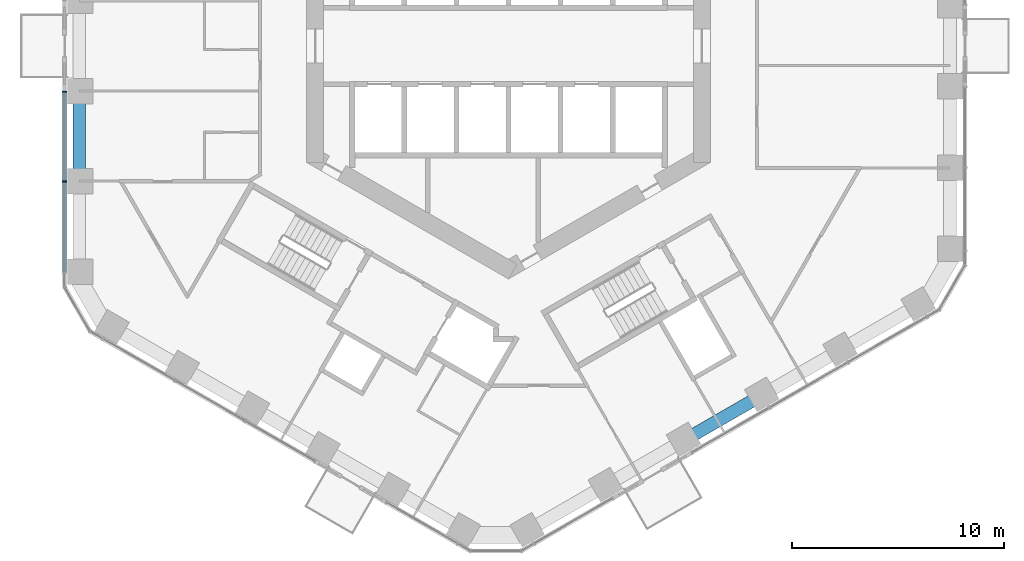
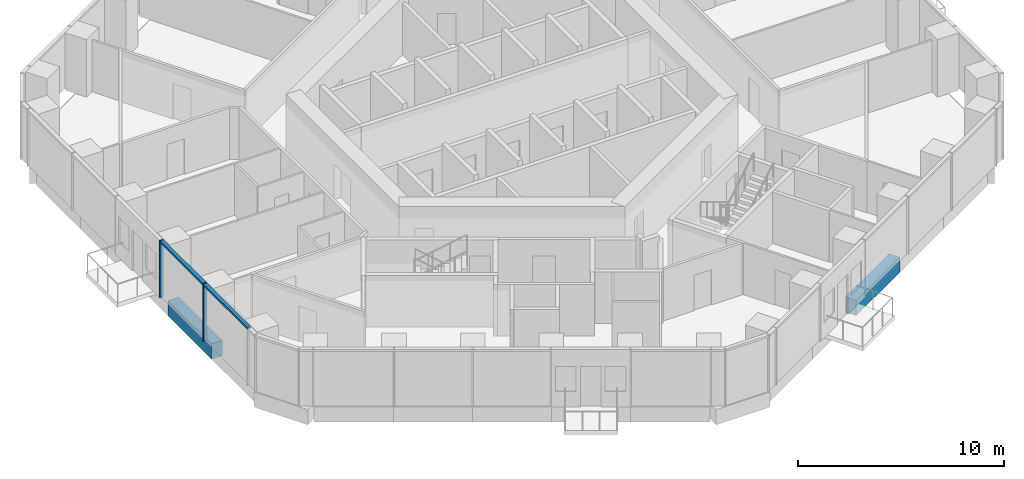
# One storey, part 3 of 20: 3 members, 2 beams, 1 element without a shape of its own.
"""IFC4 building model written with IfcOpenShell, lengths in metres."""

from ifc_helpers import new_model, si_unit, direction, frame, origin, origin_2d, place, context, subcontext, project, spatial, rectangle, extrude, material, layer, layer_set, material_profile, profile_set, type_object, element, aggregate, save


model = new_model("IFC4")

# Units and contexts
model_context = context("Model", 3, precision=1e-05, world=origin(), true_north=direction((0.0, 1.0)))
body_context = subcontext(model_context, "Body", "Model", "MODEL_VIEW")
ifc_project = project(units=[si_unit("LENGTHUNIT", "METRE"), si_unit("AREAUNIT", "SQUARE_METRE"), si_unit("VOLUMEUNIT", "CUBIC_METRE"), si_unit("PLANEANGLEUNIT", "RADIAN"), si_unit("MASSUNIT", "GRAM", prefix="KILO")], contexts=[model_context])

# Site, building, storey
site_placement = place(None, origin())
site = spatial("IfcSite", under=ifc_project, at=site_placement, CompositionType="ELEMENT")
building_placement = place(site_placement, origin())
building = spatial("IfcBuilding", under=site, at=building_placement, Name="Ayvan Gate Tower", CompositionType="ELEMENT")
storey_placement = place(building_placement, frame((0.0, 0.0, 59.5)))
storey = spatial("IfcBuildingStorey", under=building, at=storey_placement, Name="L15", CompositionType="ELEMENT", Elevation=59.5)

# Beams
ifc_material_1 = material(Name="Concrete C40/50", Category="concrete")
ifc_material_profile_1 = material_profile(ifc_material_1, rectangle(XDim=0.60009765625, YDim=0.89990234375, at=origin_2d()), Name="RC 600x900")
ifc_profile_set_1 = profile_set([ifc_material_profile_1], Name="Concrete C40/50")
beam_type = type_object("IfcBeamType", Name="Spandrel beam RC 600x900 C40/50", PredefinedType="BEAM", material=ifc_profile_set_1)
for number, where, z_axis, x_axis, name in (
    (1, (-20.205078125, -2.12060546875, -0.800048828125), (0.0, -1.0, 0.0), (1.0, 0.0, 0.0), "SB-L15-22"),
    (2, (8.26611328125, -18.558349609375, -0.800048828125), (0.8660417918, 0.499971614051, 0.0), (-0.499971614051, 0.8660417918, 0.0), "SB-L15-33"),
):
    element("IfcBeam", number, at=place(storey_placement, frame(where, z_axis=z_axis, x_axis=x_axis)), inside=storey, type_object=beam_type, Name=name, PredefinedType="BEAM", context=body_context, shape_type="SweptSolid", body=[
        extrude(rectangle(XDim=0.60009765625, YDim=0.89990234375, at=origin_2d()), origin(), (0.0, 0.0, 1.0), 4.240966796875),
    ])

# Curtain wall, members
ifc_material_2 = material(Name="Bronze anodised aluminium", Category="aluminium")
ifc_layer = layer(ifc_material_2, 0.199951171875)
ifc_layer_set = layer_set([ifc_layer], Name="Bronze anodised aluminium")
curtain_wall_type = type_object("IfcCurtainWallType", Name="Stick curtain wall CW-1", PredefinedType="NOTDEFINED", material=ifc_layer_set)
curtain_wall_placement = place(storey_placement, origin())
curtain_wall = element("IfcCurtainWall", 3, at=curtain_wall_placement, inside=storey, type_object=curtain_wall_type, Name="Stick curtain wall CW-1 L15", PredefinedType="NOTDEFINED")
ifc_material_profile_2 = material_profile(ifc_material_2, rectangle(XDim=0.199951171875, YDim=0.06005859375, at=origin_2d()), Name="Stick curtain wall CW-1 mullion 200 x 60")
ifc_profile_set_2 = profile_set([ifc_material_profile_2], Name="Bronze anodised aluminium")
member_type_1 = type_object("IfcMemberType", Name="Stick curtain wall CW-1 mullion 200 x 60", PredefinedType="MULLION", material=ifc_profile_set_2)
member_1_placement = place(storey_placement, frame((-20.89111328125, -2.1552734375, 0.0), z_axis=(0.0, 0.0, 1.0), x_axis=(-1.0, 0.0, 0.0)))
member_1 = element("IfcMember", 4, at=member_1_placement, type_object=member_type_1, Name="CW-1 mullion 1", PredefinedType="MULLION", context=body_context, shape_type="SweptSolid", body=[
    extrude(rectangle(XDim=0.199951171875, YDim=0.06005859375, at=origin_2d()), origin(), (0.0, 0.0, 1.0), 3.39990234375),
])
member_2_placement = place(storey_placement, frame((-20.89111328125, -6.376220703125, 0.0), z_axis=(0.0, 0.0, 1.0), x_axis=(-1.0, 0.0, 0.0)))
member_2 = element("IfcMember", 5, at=member_2_placement, type_object=member_type_1, Name="CW-1 mullion 2", PredefinedType="MULLION", context=body_context, shape_type="SweptSolid", body=[
    extrude(rectangle(XDim=0.199951171875, YDim=0.06005859375, at=origin_2d()), origin(), (0.0, 0.0, 1.0), 3.39990234375),
])
ifc_material_profile_3 = material_profile(ifc_material_2, rectangle(XDim=0.199951171875, YDim=0.1201171875, at=origin_2d()), Name="Stick curtain wall CW-1 transom 200 x 120")
ifc_profile_set_3 = profile_set([ifc_material_profile_3], Name="Bronze anodised aluminium")
member_type_2 = type_object("IfcMemberType", Name="Stick curtain wall CW-1 transom 200 x 120", PredefinedType="USERDEFINED", material=ifc_profile_set_3)
member_3_placement = place(storey_placement, frame((-20.89111328125, -2.1552734375, 3.340087890625), z_axis=(0.0, -1.0, 0.0), x_axis=(1.0, 0.0, 0.0)))
member_3 = element("IfcMember", 6, at=member_3_placement, type_object=member_type_2, Name="CW-1 transom 1", ObjectType="TRANSOM", PredefinedType="USERDEFINED", context=body_context, shape_type="SweptSolid", body=[
    extrude(rectangle(XDim=0.199951171875, YDim=0.1201171875, at=origin_2d()), origin(), (0.0, 0.0, 1.0), 8.517578125),
])
aggregate(curtain_wall, [member_1, member_2, member_3])

save(model, "model.ifc")
